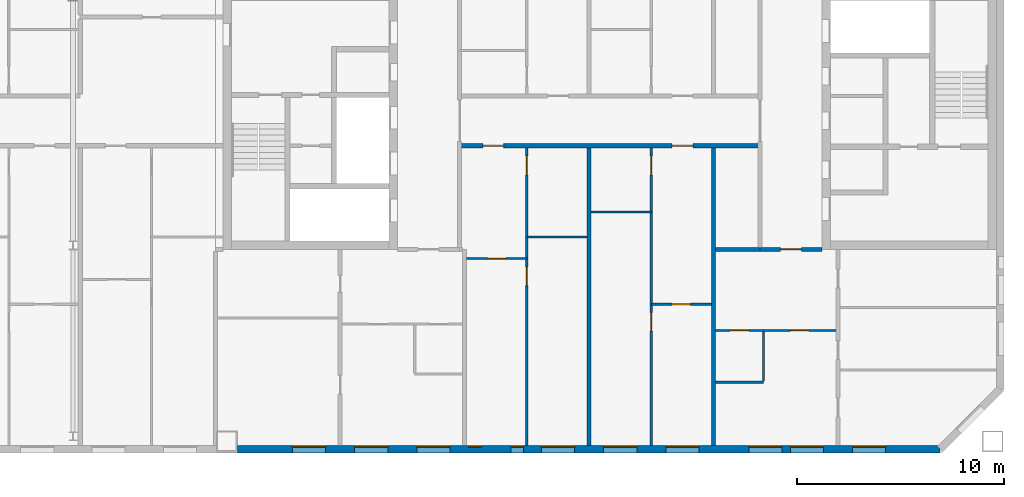
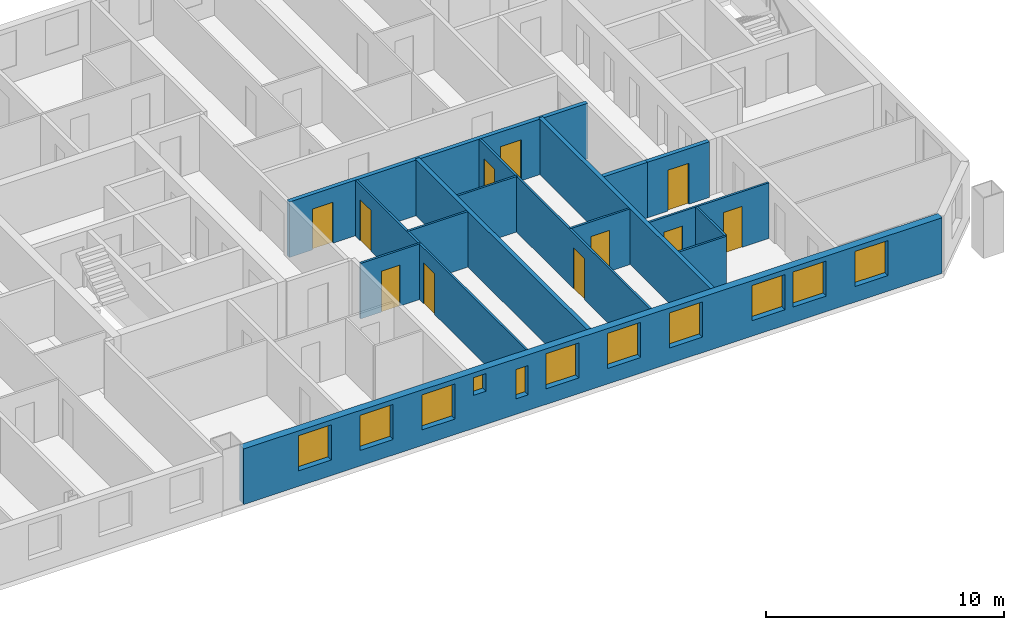
# One storey, part 14 of 19: 15 walls, 11 doors, 11 windows, 22 openings.
"""IFC4 building model written with IfcOpenShell, lengths in metres."""

from ifc_helpers import new_model, si_unit, direction, frame, frame_2d, origin, place, context, subcontext, project, spatial, rectangle, extrude, material, layer, layer_set, type_object, element, fill, save


model = new_model("IFC4")

# Units and contexts
model_context = context("Model", 3, precision=1e-05, world=origin(), true_north=direction((0.0, 1.0)))
body_context = subcontext(model_context, "Body", "Model", "MODEL_VIEW")
ifc_project = project(units=[si_unit("LENGTHUNIT", "METRE"), si_unit("AREAUNIT", "SQUARE_METRE"), si_unit("VOLUMEUNIT", "CUBIC_METRE"), si_unit("PLANEANGLEUNIT", "RADIAN"), si_unit("MASSUNIT", "GRAM", prefix="KILO")], contexts=[model_context])

# Site, building, storey
site_placement = place(None, origin())
site = spatial("IfcSite", under=ifc_project, at=site_placement, CompositionType="ELEMENT")
building_placement = place(site_placement, origin())
building = spatial("IfcBuilding", under=site, at=building_placement, Name="Tuart Gate Housing", CompositionType="ELEMENT")
storey_placement = place(building_placement, frame((0.0, 0.0, 224.5)))
storey = spatial("IfcBuildingStorey", under=building, at=storey_placement, Name="L63", CompositionType="ELEMENT", Elevation=224.5)

# Wall, openings, windows
ifc_material_1 = material(Name="Brick", Category="masonry")
ifc_layer_1 = layer(ifc_material_1, 0.360107421875)
ifc_layer_set_1 = layer_set([ifc_layer_1], Name="Brick pier and spandrel wall 360")
wall_type_1 = type_object("IfcWallType", Name="Brick pier and spandrel wall 360", PredefinedType="STANDARD", material=ifc_layer_set_1)
wall_1_placement = place(storey_placement, frame((132.050048828125, 54.179931640625, 0.0), z_axis=(0.0, 0.0, 1.0), x_axis=(1.0, 0.0, 0.0)))
wall_1 = element("IfcWall", 1, at=wall_1_placement, inside=storey, type_object=wall_type_1, Name="External wall BLK-S L63", PredefinedType="STANDARD", context=body_context, shape_type="SweptSolid", body=[
    extrude(rectangle(XDim=33.87548828125, YDim=0.360107421875, at=frame_2d((16.937744140625, 0.0))), origin(), (0.0, 0.0, 1.0), 2.85009765625),
])
opening_1_placement = place(wall_1_placement, frame((2.64990234375, 0.0, 0.800048828125)))
opening_1 = element("IfcOpeningElement", 2, at=opening_1_placement, cuts=wall_1, Name="Opening W1", PredefinedType="OPENING", context=body_context, shape_type="SweptSolid", body=[
    extrude(rectangle(XDim=1.60009765625, YDim=1.800048828125, at=frame_2d((0.800048828125, 0.89990234375))), frame((0.0, 0.18994140625, 0.0), z_axis=(0.0, -1.0, 0.0), x_axis=(1.0, 0.0, 0.0)), (0.0, 0.0, 1.0), 0.380126953125),
])
opening_2_placement = place(wall_1_placement, frame((5.64990234375, 0.0, 0.800048828125)))
opening_2 = element("IfcOpeningElement", 3, at=opening_2_placement, cuts=wall_1, Name="Opening W1", PredefinedType="OPENING", context=body_context, shape_type="SweptSolid", body=[
    extrude(rectangle(XDim=1.60009765625, YDim=1.800048828125, at=frame_2d((0.800048828125, 0.89990234375))), frame((0.0, 0.18994140625, 0.0), z_axis=(0.0, -1.0, 0.0), x_axis=(1.0, 0.0, 0.0)), (0.0, 0.0, 1.0), 0.380126953125),
])
opening_3_placement = place(wall_1_placement, frame((8.64990234375, 0.0, 0.800048828125)))
opening_3 = element("IfcOpeningElement", 4, at=opening_3_placement, cuts=wall_1, Name="Opening W1", PredefinedType="OPENING", context=body_context, shape_type="SweptSolid", body=[
    extrude(rectangle(XDim=1.60009765625, YDim=1.800048828125, at=frame_2d((0.800048828125, 0.89990234375))), frame((0.0, 0.18994140625, 0.0), z_axis=(0.0, -1.0, 0.0), x_axis=(1.0, 0.0, 0.0)), (0.0, 0.0, 1.0), 0.380126953125),
])
opening_4_placement = place(wall_1_placement, frame((11.14990234375, 0.0, 1.699951171875)))
opening_4 = element("IfcOpeningElement", 5, at=opening_4_placement, cuts=wall_1, Name="Opening W1W", PredefinedType="OPENING", context=body_context, shape_type="SweptSolid", body=[
    extrude(rectangle(XDim=0.60009765625, YDim=0.89990234375, at=frame_2d((0.300048828125, 0.449951171875))), frame((0.0, 0.18994140625, 0.0), z_axis=(0.0, -1.0, 0.0), x_axis=(1.0, 0.0, 0.0)), (0.0, 0.0, 1.0), 0.380126953125),
])
opening_5_placement = place(wall_1_placement, frame((14.64990234375, 0.0, 0.800048828125)))
opening_5 = element("IfcOpeningElement", 6, at=opening_5_placement, cuts=wall_1, Name="Opening W1", PredefinedType="OPENING", context=body_context, shape_type="SweptSolid", body=[
    extrude(rectangle(XDim=1.60009765625, YDim=1.800048828125, at=frame_2d((0.800048828125, 0.89990234375))), frame((0.0, 0.18994140625, 0.0), z_axis=(0.0, -1.0, 0.0), x_axis=(1.0, 0.0, 0.0)), (0.0, 0.0, 1.0), 0.380126953125),
])
opening_6_placement = place(wall_1_placement, frame((17.64990234375, 0.0, 0.800048828125)))
opening_6 = element("IfcOpeningElement", 7, at=opening_6_placement, cuts=wall_1, Name="Opening W1", PredefinedType="OPENING", context=body_context, shape_type="SweptSolid", body=[
    extrude(rectangle(XDim=1.60009765625, YDim=1.800048828125, at=frame_2d((0.800048828125, 0.89990234375))), frame((0.0, 0.18994140625, 0.0), z_axis=(0.0, -1.0, 0.0), x_axis=(1.0, 0.0, 0.0)), (0.0, 0.0, 1.0), 0.380126953125),
])
opening_7_placement = place(wall_1_placement, frame((20.64990234375, 0.0, 0.800048828125)))
opening_7 = element("IfcOpeningElement", 8, at=opening_7_placement, cuts=wall_1, Name="Opening W1", PredefinedType="OPENING", context=body_context, shape_type="SweptSolid", body=[
    extrude(rectangle(XDim=1.60009765625, YDim=1.800048828125, at=frame_2d((0.800048828125, 0.89990234375))), frame((0.0, 0.18994140625, 0.0), z_axis=(0.0, -1.0, 0.0), x_axis=(1.0, 0.0, 0.0)), (0.0, 0.0, 1.0), 0.380126953125),
])
opening_8_placement = place(wall_1_placement, frame((24.64990234375, 0.0, 0.800048828125)))
opening_8 = element("IfcOpeningElement", 9, at=opening_8_placement, cuts=wall_1, Name="Opening W1", PredefinedType="OPENING", context=body_context, shape_type="SweptSolid", body=[
    extrude(rectangle(XDim=1.60009765625, YDim=1.800048828125, at=frame_2d((0.800048828125, 0.89990234375))), frame((0.0, 0.18994140625, 0.0), z_axis=(0.0, -1.0, 0.0), x_axis=(1.0, 0.0, 0.0)), (0.0, 0.0, 1.0), 0.380126953125),
])
opening_9_placement = place(wall_1_placement, frame((26.64990234375, 0.0, 0.800048828125)))
opening_9 = element("IfcOpeningElement", 10, at=opening_9_placement, cuts=wall_1, Name="Opening W1", PredefinedType="OPENING", context=body_context, shape_type="SweptSolid", body=[
    extrude(rectangle(XDim=1.60009765625, YDim=1.800048828125, at=frame_2d((0.800048828125, 0.89990234375))), frame((0.0, 0.18994140625, 0.0), z_axis=(0.0, -1.0, 0.0), x_axis=(1.0, 0.0, 0.0)), (0.0, 0.0, 1.0), 0.380126953125),
])
opening_10_placement = place(wall_1_placement, frame((29.64990234375, 0.0, 0.800048828125)))
opening_10 = element("IfcOpeningElement", 11, at=opening_10_placement, cuts=wall_1, Name="Opening W1", PredefinedType="OPENING", context=body_context, shape_type="SweptSolid", body=[
    extrude(rectangle(XDim=1.60009765625, YDim=1.800048828125, at=frame_2d((0.800048828125, 0.89990234375))), frame((0.0, 0.18994140625, 0.0), z_axis=(0.0, -1.0, 0.0), x_axis=(1.0, 0.0, 0.0)), (0.0, 0.0, 1.0), 0.380126953125),
])
opening_11_placement = place(wall_1_placement, frame((13.199951171875, 0.0, 0.800048828125)))
opening_11 = element("IfcOpeningElement", 12, at=opening_11_placement, cuts=wall_1, Name="Opening W1K", PredefinedType="OPENING", context=body_context, shape_type="SweptSolid", body=[
    extrude(rectangle(XDim=0.60009765625, YDim=1.5, at=frame_2d((0.300048828125, 0.75))), frame((0.0, 0.18994140625, 0.0), z_axis=(0.0, -1.0, 0.0), x_axis=(1.0, 0.0, 0.0)), (0.0, 0.0, 1.0), 0.380126953125),
])
ifc_material_2 = material(Name="Aluminium frame with clear glass", Category="aluminium")
window_type_1 = type_object("IfcWindowType", Name="Punched window 1600 x 1800", PartitioningType="SINGLE_PANEL", PredefinedType="WINDOW", material=ifc_material_2)
window_1_placement = place(opening_1_placement, origin())
window_1 = element("IfcWindow", 13, at=window_1_placement, inside=storey, type_object=window_type_1, Name="Window W1", OverallHeight=1.800048828125, OverallWidth=1.60009765625, PartitioningType="SINGLE_PANEL", PredefinedType="WINDOW", context=body_context, shape_type="SweptSolid", body=[
    extrude(rectangle(XDim=1.60009765625, YDim=1.800048828125, at=frame_2d((0.800048828125, 0.89990234375))), frame((0.0, 0.150146484375, 0.0), z_axis=(0.0, -1.0, 0.0), x_axis=(1.0, 0.0, 0.0)), (0.0, 0.0, 1.0), 0.06005859375),
])
fill(opening_1, window_1)
window_2_placement = place(opening_2_placement, origin())
window_2 = element("IfcWindow", 14, at=window_2_placement, inside=storey, type_object=window_type_1, Name="Window W1", OverallHeight=1.800048828125, OverallWidth=1.60009765625, PartitioningType="SINGLE_PANEL", PredefinedType="WINDOW", context=body_context, shape_type="SweptSolid", body=[
    extrude(rectangle(XDim=1.60009765625, YDim=1.800048828125, at=frame_2d((0.800048828125, 0.89990234375))), frame((0.0, 0.150146484375, 0.0), z_axis=(0.0, -1.0, 0.0), x_axis=(1.0, 0.0, 0.0)), (0.0, 0.0, 1.0), 0.06005859375),
])
fill(opening_2, window_2)
window_3_placement = place(opening_3_placement, origin())
window_3 = element("IfcWindow", 15, at=window_3_placement, inside=storey, type_object=window_type_1, Name="Window W1", OverallHeight=1.800048828125, OverallWidth=1.60009765625, PartitioningType="SINGLE_PANEL", PredefinedType="WINDOW", context=body_context, shape_type="SweptSolid", body=[
    extrude(rectangle(XDim=1.60009765625, YDim=1.800048828125, at=frame_2d((0.800048828125, 0.89990234375))), frame((0.0, 0.150146484375, 0.0), z_axis=(0.0, -1.0, 0.0), x_axis=(1.0, 0.0, 0.0)), (0.0, 0.0, 1.0), 0.06005859375),
])
fill(opening_3, window_3)
window_4_placement = place(opening_5_placement, origin())
window_4 = element("IfcWindow", 16, at=window_4_placement, inside=storey, type_object=window_type_1, Name="Window W1", OverallHeight=1.800048828125, OverallWidth=1.60009765625, PartitioningType="SINGLE_PANEL", PredefinedType="WINDOW", context=body_context, shape_type="SweptSolid", body=[
    extrude(rectangle(XDim=1.60009765625, YDim=1.800048828125, at=frame_2d((0.800048828125, 0.89990234375))), frame((0.0, 0.150146484375, 0.0), z_axis=(0.0, -1.0, 0.0), x_axis=(1.0, 0.0, 0.0)), (0.0, 0.0, 1.0), 0.06005859375),
])
fill(opening_5, window_4)
window_5_placement = place(opening_6_placement, origin())
window_5 = element("IfcWindow", 17, at=window_5_placement, inside=storey, type_object=window_type_1, Name="Window W1", OverallHeight=1.800048828125, OverallWidth=1.60009765625, PartitioningType="SINGLE_PANEL", PredefinedType="WINDOW", context=body_context, shape_type="SweptSolid", body=[
    extrude(rectangle(XDim=1.60009765625, YDim=1.800048828125, at=frame_2d((0.800048828125, 0.89990234375))), frame((0.0, 0.150146484375, 0.0), z_axis=(0.0, -1.0, 0.0), x_axis=(1.0, 0.0, 0.0)), (0.0, 0.0, 1.0), 0.06005859375),
])
fill(opening_6, window_5)
window_6_placement = place(opening_7_placement, origin())
window_6 = element("IfcWindow", 18, at=window_6_placement, inside=storey, type_object=window_type_1, Name="Window W1", OverallHeight=1.800048828125, OverallWidth=1.60009765625, PartitioningType="SINGLE_PANEL", PredefinedType="WINDOW", context=body_context, shape_type="SweptSolid", body=[
    extrude(rectangle(XDim=1.60009765625, YDim=1.800048828125, at=frame_2d((0.800048828125, 0.89990234375))), frame((0.0, 0.150146484375, 0.0), z_axis=(0.0, -1.0, 0.0), x_axis=(1.0, 0.0, 0.0)), (0.0, 0.0, 1.0), 0.06005859375),
])
fill(opening_7, window_6)
window_7_placement = place(opening_8_placement, origin())
window_7 = element("IfcWindow", 19, at=window_7_placement, inside=storey, type_object=window_type_1, Name="Window W1", OverallHeight=1.800048828125, OverallWidth=1.60009765625, PartitioningType="SINGLE_PANEL", PredefinedType="WINDOW", context=body_context, shape_type="SweptSolid", body=[
    extrude(rectangle(XDim=1.60009765625, YDim=1.800048828125, at=frame_2d((0.800048828125, 0.89990234375))), frame((0.0, 0.150146484375, 0.0), z_axis=(0.0, -1.0, 0.0), x_axis=(1.0, 0.0, 0.0)), (0.0, 0.0, 1.0), 0.06005859375),
])
fill(opening_8, window_7)
window_8_placement = place(opening_9_placement, origin())
window_8 = element("IfcWindow", 20, at=window_8_placement, inside=storey, type_object=window_type_1, Name="Window W1", OverallHeight=1.800048828125, OverallWidth=1.60009765625, PartitioningType="SINGLE_PANEL", PredefinedType="WINDOW", context=body_context, shape_type="SweptSolid", body=[
    extrude(rectangle(XDim=1.60009765625, YDim=1.800048828125, at=frame_2d((0.800048828125, 0.89990234375))), frame((0.0, 0.150146484375, 0.0), z_axis=(0.0, -1.0, 0.0), x_axis=(1.0, 0.0, 0.0)), (0.0, 0.0, 1.0), 0.06005859375),
])
fill(opening_9, window_8)
window_9_placement = place(opening_10_placement, origin())
window_9 = element("IfcWindow", 21, at=window_9_placement, inside=storey, type_object=window_type_1, Name="Window W1", OverallHeight=1.800048828125, OverallWidth=1.60009765625, PartitioningType="SINGLE_PANEL", PredefinedType="WINDOW", context=body_context, shape_type="SweptSolid", body=[
    extrude(rectangle(XDim=1.60009765625, YDim=1.800048828125, at=frame_2d((0.800048828125, 0.89990234375))), frame((0.0, 0.150146484375, 0.0), z_axis=(0.0, -1.0, 0.0), x_axis=(1.0, 0.0, 0.0)), (0.0, 0.0, 1.0), 0.06005859375),
])
fill(opening_10, window_9)
ifc_material_3 = material(Name="Aluminium frame with clear glass", Category="aluminium")
window_type_2 = type_object("IfcWindowType", Name="Punched window 600 x 1500", PartitioningType="SINGLE_PANEL", PredefinedType="WINDOW", material=ifc_material_3)
window_10_placement = place(opening_11_placement, origin())
window_10 = element("IfcWindow", 22, at=window_10_placement, inside=storey, type_object=window_type_2, Name="Window W1K", OverallHeight=1.5, OverallWidth=0.60009765625, PartitioningType="SINGLE_PANEL", PredefinedType="WINDOW", context=body_context, shape_type="SweptSolid", body=[
    extrude(rectangle(XDim=0.60009765625, YDim=1.5, at=frame_2d((0.300048828125, 0.75))), frame((0.0, 0.150146484375, 0.0), z_axis=(0.0, -1.0, 0.0), x_axis=(1.0, 0.0, 0.0)), (0.0, 0.0, 1.0), 0.06005859375),
])
fill(opening_11, window_10)
ifc_material_4 = material(Name="Aluminium frame with clear glass", Category="aluminium")
window_type_3 = type_object("IfcWindowType", Name="Punched window 600 x 900", PartitioningType="SINGLE_PANEL", PredefinedType="WINDOW", material=ifc_material_4)
window_11_placement = place(opening_4_placement, origin())
window_11 = element("IfcWindow", 23, at=window_11_placement, inside=storey, type_object=window_type_3, Name="Window W1W", OverallHeight=0.89990234375, OverallWidth=0.60009765625, PartitioningType="SINGLE_PANEL", PredefinedType="WINDOW", context=body_context, shape_type="SweptSolid", body=[
    extrude(rectangle(XDim=0.60009765625, YDim=0.89990234375, at=frame_2d((0.300048828125, 0.449951171875))), frame((0.0, 0.150146484375, 0.0), z_axis=(0.0, -1.0, 0.0), x_axis=(1.0, 0.0, 0.0)), (0.0, 0.0, 1.0), 0.06005859375),
])
fill(opening_4, window_11)

# Wall, openings, doors
ifc_material_5 = material(Name="Concrete masonry 15 MPa", Category="masonry")
ifc_layer_2 = layer(ifc_material_5, 0.199951171875)
ifc_layer_set_2 = layer_set([ifc_layer_2], Name="Corridor wall masonry 200")
wall_type_2 = type_object("IfcWallType", Name="Corridor wall masonry 200", PredefinedType="PARTITIONING", material=ifc_layer_set_2)
wall_2_placement = place(storey_placement, frame((142.760009765625, 68.800048828125, 0.0), z_axis=(0.0, 0.0, 1.0), x_axis=(1.0, 0.0, 0.0)))
wall_2 = element("IfcWall", 24, at=wall_2_placement, inside=storey, type_object=wall_type_2, Name="Corridor wall masonry 200", PredefinedType="PARTITIONING", context=body_context, shape_type="SweptSolid", body=[
    extrude(rectangle(XDim=14.47998046875, YDim=0.199951171875, at=frame_2d((7.239990234375, 0.0))), origin(), (0.0, 0.0, 1.0), 2.85009765625),
])
opening_12_placement = place(wall_2_placement, frame((1.1201171875, 0.0, 0.0)))
opening_12 = element("IfcOpeningElement", 25, at=opening_12_placement, cuts=wall_2, Name="Opening D2422", PredefinedType="OPENING", context=body_context, shape_type="SweptSolid", body=[
    extrude(rectangle(XDim=1.0, YDim=2.10009765625, at=frame_2d((0.5, 1.050048828125))), frame((0.0, 0.10986328125, 0.0), z_axis=(0.0, -1.0, 0.0), x_axis=(1.0, 0.0, 0.0)), (0.0, 0.0, 1.0), 0.219970703125),
])
opening_13_placement = place(wall_2_placement, frame((10.239990234375, 0.0, 0.0)))
opening_13 = element("IfcOpeningElement", 26, at=opening_13_placement, cuts=wall_2, Name="Opening D2423", PredefinedType="OPENING", context=body_context, shape_type="SweptSolid", body=[
    extrude(rectangle(XDim=1.0, YDim=2.10009765625, at=frame_2d((0.5, 1.050048828125))), frame((0.0, 0.10986328125, 0.0), z_axis=(0.0, -1.0, 0.0), x_axis=(1.0, 0.0, 0.0)), (0.0, 0.0, 1.0), 0.219970703125),
])
ifc_material_6 = material(Name="Timber door leaf in steel frame", Category="steel")
door_type_1 = type_object("IfcDoorType", Name="Flat entrance door 1000 RH", OperationType="SINGLE_SWING_RIGHT", PredefinedType="DOOR", material=ifc_material_6)
door_1_placement = place(opening_12_placement, frame((1.0, 0.0, 0.0), z_axis=(0.0, 0.0, 1.0), x_axis=(-1.0, 0.0, 0.0)))
door_1 = element("IfcDoor", 27, at=door_1_placement, inside=storey, type_object=door_type_1, Name="Flat entrance door", OperationType="SINGLE_SWING_RIGHT", OverallHeight=2.10009765625, OverallWidth=1.0, PredefinedType="DOOR", context=body_context, shape_type="SweptSolid", body=[
    extrude(rectangle(XDim=1.0, YDim=2.10009765625, at=frame_2d((0.5, 1.050048828125))), frame((0.0, 0.025146484375, 0.0), z_axis=(0.0, -1.0, 0.0), x_axis=(1.0, 0.0, 0.0)), (0.0, 0.0, 1.0), 0.050048828125),
])
fill(opening_12, door_1)
door_2_placement = place(opening_13_placement, frame((1.0, 0.0, 0.0), z_axis=(0.0, 0.0, 1.0), x_axis=(-1.0, 0.0, 0.0)))
door_2 = element("IfcDoor", 28, at=door_2_placement, inside=storey, type_object=door_type_1, Name="Flat entrance door", OperationType="SINGLE_SWING_RIGHT", OverallHeight=2.10009765625, OverallWidth=1.0, PredefinedType="DOOR", context=body_context, shape_type="SweptSolid", body=[
    extrude(rectangle(XDim=1.0, YDim=2.10009765625, at=frame_2d((0.5, 1.050048828125))), frame((0.0, 0.025146484375, 0.0), z_axis=(0.0, -1.0, 0.0), x_axis=(1.0, 0.0, 0.0)), (0.0, 0.0, 1.0), 0.050048828125),
])
fill(opening_13, door_2)

# Wall, opening, door
ifc_material_7 = material(Name="Concrete masonry 15 MPa", Category="masonry")
ifc_layer_3 = layer(ifc_material_7, 0.199951171875)
ifc_layer_set_3 = layer_set([ifc_layer_3], Name="Enclosure wall masonry 200")
wall_type_3 = type_object("IfcWallType", Name="Enclosure wall masonry 200", PredefinedType="PARTITIONING", material=ifc_layer_set_3)
wall_3_placement = place(storey_placement, frame((157.239990234375, 63.800048828125, 0.0), z_axis=(0.0, 0.0, 1.0), x_axis=(1.0, 0.0, 0.0)))
wall_3 = element("IfcWall", 29, at=wall_3_placement, inside=storey, type_object=wall_type_3, Name="Enclosure wall masonry 200", PredefinedType="PARTITIONING", context=body_context, shape_type="SweptSolid", body=[
    extrude(rectangle(XDim=3.0, YDim=0.199951171875, at=frame_2d((1.5, 0.0))), origin(), (0.0, 0.0, 1.0), 2.85009765625),
])
opening_14_placement = place(wall_3_placement, frame((1.0, 0.0, 0.0)))
opening_14 = element("IfcOpeningElement", 30, at=opening_14_placement, cuts=wall_3, Name="Opening D2427", PredefinedType="OPENING", context=body_context, shape_type="SweptSolid", body=[
    extrude(rectangle(XDim=1.0, YDim=2.10009765625, at=frame_2d((0.5, 1.050048828125))), frame((0.0, 0.10986328125, 0.0), z_axis=(0.0, -1.0, 0.0), x_axis=(1.0, 0.0, 0.0)), (0.0, 0.0, 1.0), 0.219970703125),
])
ifc_material_8 = material(Name="Timber door leaf in steel frame", Category="steel")
door_type_2 = type_object("IfcDoorType", Name="Flat entrance door 1000", OperationType="SINGLE_SWING_LEFT", PredefinedType="DOOR", material=ifc_material_8)
door_3_placement = place(opening_14_placement, frame((1.0, 0.0, 0.0), z_axis=(0.0, 0.0, 1.0), x_axis=(-1.0, 0.0, 0.0)))
door_3 = element("IfcDoor", 31, at=door_3_placement, inside=storey, type_object=door_type_2, Name="Flat entrance door", OperationType="SINGLE_SWING_LEFT", OverallHeight=2.10009765625, OverallWidth=1.0, PredefinedType="DOOR", context=body_context, shape_type="SweptSolid", body=[
    extrude(rectangle(XDim=1.0, YDim=2.10009765625, at=frame_2d((0.5, 1.050048828125))), frame((0.0, 0.025146484375, 0.0), z_axis=(0.0, -1.0, 0.0), x_axis=(1.0, 0.0, 0.0)), (0.0, 0.0, 1.0), 0.050048828125),
])
fill(opening_14, door_3)

# Wall
ifc_material_9 = material(Name="Gypsum board on steel studs", Category="steel")
ifc_layer_4 = layer(ifc_material_9, 0.10009765625)
ifc_layer_set_4 = layer_set([ifc_layer_4], Name="Partition 100")
wall_type_4 = type_object("IfcWallType", Name="Partition 100", PredefinedType="PARTITIONING", material=ifc_layer_set_4)
wall_4_placement = place(storey_placement, frame((155.10009765625, 57.39990234375, 0.0), z_axis=(0.0, 0.0, 1.0), x_axis=(1.0, 0.0, 0.0)))
element("IfcWall", 32, at=wall_4_placement, inside=storey, type_object=wall_type_4, Name="Partition 100", PredefinedType="PARTITIONING", context=body_context, shape_type="SweptSolid", body=[
    extrude(rectangle(XDim=2.2998046875, YDim=0.10009765625, at=frame_2d((1.14990234375, 0.0))), origin(), (0.0, 0.0, 1.0), 2.85009765625),
])

# Wall, openings, doors
wall_5_placement = place(storey_placement, frame((155.10009765625, 59.89990234375, 0.0), z_axis=(0.0, 0.0, 1.0), x_axis=(1.0, 0.0, 0.0)))
wall_5 = element("IfcWall", 33, at=wall_5_placement, inside=storey, type_object=wall_type_4, Name="Partition 100", PredefinedType="PARTITIONING", context=body_context, shape_type="SweptSolid", body=[
    extrude(rectangle(XDim=5.7998046875, YDim=0.10009765625, at=frame_2d((2.89990234375, 0.0))), origin(), (0.0, 0.0, 1.0), 2.85009765625),
])
opening_15_placement = place(wall_5_placement, frame((3.60009765625, 0.0, 0.0)))
opening_15 = element("IfcOpeningElement", 34, at=opening_15_placement, cuts=wall_5, Name="Opening D2437", PredefinedType="OPENING", context=body_context, shape_type="SweptSolid", body=[
    extrude(rectangle(XDim=0.89990234375, YDim=2.10009765625, at=frame_2d((0.449951171875, 1.050048828125))), frame((0.0, 0.06005859375, 0.0), z_axis=(0.0, -1.0, 0.0), x_axis=(1.0, 0.0, 0.0)), (0.0, 0.0, 1.0), 0.1201171875),
])
opening_16_placement = place(wall_5_placement, frame((0.699951171875, 0.0, 0.0)))
opening_16 = element("IfcOpeningElement", 35, at=opening_16_placement, cuts=wall_5, Name="Opening D2436", PredefinedType="OPENING", context=body_context, shape_type="SweptSolid", body=[
    extrude(rectangle(XDim=0.89990234375, YDim=2.10009765625, at=frame_2d((0.449951171875, 1.050048828125))), frame((0.0, 0.06005859375, 0.0), z_axis=(0.0, -1.0, 0.0), x_axis=(1.0, 0.0, 0.0)), (0.0, 0.0, 1.0), 0.1201171875),
])
ifc_material_10 = material(Name="Timber door leaf in steel frame", Category="steel")
door_type_3 = type_object("IfcDoorType", Name="Bathroom door 900", OperationType="SINGLE_SWING_LEFT", PredefinedType="DOOR", material=ifc_material_10)
door_4_placement = place(opening_16_placement, frame((0.89990234375, 0.0, 0.0), z_axis=(0.0, 0.0, 1.0), x_axis=(-1.0, 0.0, 0.0)))
door_4 = element("IfcDoor", 36, at=door_4_placement, inside=storey, type_object=door_type_3, Name="Bathroom door", OperationType="SINGLE_SWING_LEFT", OverallHeight=2.10009765625, OverallWidth=0.89990234375, PredefinedType="DOOR", context=body_context, shape_type="SweptSolid", body=[
    extrude(rectangle(XDim=0.89990234375, YDim=2.10009765625, at=frame_2d((0.449951171875, 1.050048828125))), frame((0.0, 0.025146484375, 0.0), z_axis=(0.0, -1.0, 0.0), x_axis=(1.0, 0.0, 0.0)), (0.0, 0.0, 1.0), 0.050048828125),
])
fill(opening_16, door_4)
ifc_material_11 = material(Name="Timber door leaf in steel frame", Category="steel")
door_type_4 = type_object("IfcDoorType", Name="Internal door 900 RH", OperationType="SINGLE_SWING_RIGHT", PredefinedType="DOOR", material=ifc_material_11)
door_5_placement = place(opening_15_placement, origin())
door_5 = element("IfcDoor", 37, at=door_5_placement, inside=storey, type_object=door_type_4, Name="Internal door", OperationType="SINGLE_SWING_RIGHT", OverallHeight=2.10009765625, OverallWidth=0.89990234375, PredefinedType="DOOR", context=body_context, shape_type="SweptSolid", body=[
    extrude(rectangle(XDim=0.89990234375, YDim=2.10009765625, at=frame_2d((0.449951171875, 1.050048828125))), frame((0.0, 0.02490234375, 0.0), z_axis=(0.0, -1.0, 0.0), x_axis=(1.0, 0.0, 0.0)), (0.0, 0.0, 1.0), 0.050048828125),
])
fill(opening_15, door_5)

# Wall, opening, door
wall_6_placement = place(storey_placement, frame((152.0, 61.159912109375, 0.0), z_axis=(0.0, 0.0, 1.0), x_axis=(1.0, 0.0, 0.0)))
wall_6 = element("IfcWall", 38, at=wall_6_placement, inside=storey, type_object=wall_type_4, Name="Partition 100", PredefinedType="PARTITIONING", context=body_context, shape_type="SweptSolid", body=[
    extrude(rectangle(XDim=2.89990234375, YDim=0.10009765625, at=frame_2d((1.449951171875, 0.0))), origin(), (0.0, 0.0, 1.0), 2.85009765625),
])
opening_17_placement = place(wall_6_placement, frame((1.0, 0.0, 0.0)))
opening_17 = element("IfcOpeningElement", 39, at=opening_17_placement, cuts=wall_6, Name="Opening D2433", PredefinedType="OPENING", context=body_context, shape_type="SweptSolid", body=[
    extrude(rectangle(XDim=0.89990234375, YDim=2.10009765625, at=frame_2d((0.449951171875, 1.050048828125))), frame((0.0, 0.06005859375, 0.0), z_axis=(0.0, -1.0, 0.0), x_axis=(1.0, 0.0, 0.0)), (0.0, 0.0, 1.0), 0.1201171875),
])
ifc_material_12 = material(Name="Timber door leaf in steel frame", Category="steel")
door_type_5 = type_object("IfcDoorType", Name="Internal door 900", OperationType="SINGLE_SWING_LEFT", PredefinedType="DOOR", material=ifc_material_12)
door_6_placement = place(opening_17_placement, origin())
door_6 = element("IfcDoor", 40, at=door_6_placement, inside=storey, type_object=door_type_5, Name="Internal door", OperationType="SINGLE_SWING_LEFT", OverallHeight=2.10009765625, OverallWidth=0.89990234375, PredefinedType="DOOR", context=body_context, shape_type="SweptSolid", body=[
    extrude(rectangle(XDim=0.89990234375, YDim=2.10009765625, at=frame_2d((0.449951171875, 1.050048828125))), frame((0.0, 0.02490234375, 0.0), z_axis=(0.0, -1.0, 0.0), x_axis=(1.0, 0.0, 0.0)), (0.0, 0.0, 1.0), 0.050048828125),
])
fill(opening_17, door_6)

wall_7_placement = place(storey_placement, frame((143.10009765625, 63.360107421875, 0.0), z_axis=(0.0, 0.0, 1.0), x_axis=(1.0, 0.0, 0.0)))
wall_7 = element("IfcWall", 41, at=wall_7_placement, inside=storey, type_object=wall_type_4, Name="Partition 100", PredefinedType="PARTITIONING", context=body_context, shape_type="SweptSolid", body=[
    extrude(rectangle(XDim=2.89990234375, YDim=0.10009765625, at=frame_2d((1.449951171875, 0.0))), origin(), (0.0, 0.0, 1.0), 2.85009765625),
])
opening_18_placement = place(wall_7_placement, frame((1.0, 0.0, 0.0)))
opening_18 = element("IfcOpeningElement", 42, at=opening_18_placement, cuts=wall_7, Name="Opening D2428", PredefinedType="OPENING", context=body_context, shape_type="SweptSolid", body=[
    extrude(rectangle(XDim=0.89990234375, YDim=2.10009765625, at=frame_2d((0.449951171875, 1.050048828125))), frame((0.0, 0.06005859375, 0.0), z_axis=(0.0, -1.0, 0.0), x_axis=(1.0, 0.0, 0.0)), (0.0, 0.0, 1.0), 0.1201171875),
])
door_7_placement = place(opening_18_placement, origin())
door_7 = element("IfcDoor", 43, at=door_7_placement, inside=storey, type_object=door_type_4, Name="Internal door", OperationType="SINGLE_SWING_RIGHT", OverallHeight=2.10009765625, OverallWidth=0.89990234375, PredefinedType="DOOR", context=body_context, shape_type="SweptSolid", body=[
    extrude(rectangle(XDim=0.89990234375, YDim=2.10009765625, at=frame_2d((0.449951171875, 1.050048828125))), frame((0.0, 0.02490234375, 0.0), z_axis=(0.0, -1.0, 0.0), x_axis=(1.0, 0.0, 0.0)), (0.0, 0.0, 1.0), 0.050048828125),
])
fill(opening_18, door_7)

# Walls
for number, where, z_axis, x_axis, name in (
    (44, (146.0, 64.39990234375, 0.0), (0.0, 0.0, 1.0), (1.0, 0.0, 0.0), "Partition 100"),
    (45, (149.10009765625, 65.60009765625, 0.0), (0.0, 0.0, 1.0), (1.0, 0.0, 0.0), "Partition 100"),
):
    element("IfcWall", number, at=place(storey_placement, frame(where, z_axis=z_axis, x_axis=x_axis)), inside=storey, type_object=wall_type_4, Name=name, PredefinedType="PARTITIONING", context=body_context, shape_type="SweptSolid", body=[
        extrude(rectangle(XDim=2.89990234375, YDim=0.10009765625, at=frame_2d((1.449951171875, 0.0))), origin(), (0.0, 0.0, 1.0), 2.85009765625),
    ])

# Wall, openings, doors
wall_8_placement = place(storey_placement, frame((146.0, 54.360107421875, 0.0), z_axis=(0.0, 0.0, 1.0), x_axis=(0.0, 1.0, 0.0)))
wall_8 = element("IfcWall", 46, at=wall_8_placement, inside=storey, type_object=wall_type_4, Name="Partition 100", PredefinedType="PARTITIONING", context=body_context, shape_type="SweptSolid", body=[
    extrude(rectangle(XDim=14.33984375, YDim=0.10009765625, at=frame_2d((7.169921875, 0.0))), origin(), (0.0, 0.0, 1.0), 2.85009765625),
])
opening_19_placement = place(wall_8_placement, frame((7.699951171875, 0.0, 0.0)))
opening_19 = element("IfcOpeningElement", 47, at=opening_19_placement, cuts=wall_8, Name="Opening D2430", PredefinedType="OPENING", context=body_context, shape_type="SweptSolid", body=[
    extrude(rectangle(XDim=0.89990234375, YDim=2.10009765625, at=frame_2d((0.449951171875, 1.050048828125))), frame((0.0, 0.06005859375, 0.0), z_axis=(0.0, -1.0, 0.0), x_axis=(1.0, 0.0, 0.0)), (0.0, 0.0, 1.0), 0.1201171875),
])
opening_20_placement = place(wall_8_placement, frame((13.0400390625, 0.0, 0.0)))
opening_20 = element("IfcOpeningElement", 48, at=opening_20_placement, cuts=wall_8, Name="Opening D2429", PredefinedType="OPENING", context=body_context, shape_type="SweptSolid", body=[
    extrude(rectangle(XDim=0.89990234375, YDim=2.10009765625, at=frame_2d((0.449951171875, 1.050048828125))), frame((0.0, 0.06005859375, 0.0), z_axis=(0.0, -1.0, 0.0), x_axis=(1.0, 0.0, 0.0)), (0.0, 0.0, 1.0), 0.1201171875),
])
door_8_placement = place(opening_20_placement, frame((0.89990234375, 0.0, 0.0), z_axis=(0.0, 0.0, 1.0), x_axis=(-1.0, 0.0, 0.0)))
door_8 = element("IfcDoor", 49, at=door_8_placement, inside=storey, type_object=door_type_3, Name="Bathroom door", OperationType="SINGLE_SWING_LEFT", OverallHeight=2.10009765625, OverallWidth=0.89990234375, PredefinedType="DOOR", context=body_context, shape_type="SweptSolid", body=[
    extrude(rectangle(XDim=0.89990234375, YDim=2.10009765625, at=frame_2d((0.449951171875, 1.050048828125))), frame((0.0, 0.025146484375, 0.0), z_axis=(0.0, -1.0, 0.0), x_axis=(1.0, 0.0, 0.0)), (0.0, 0.0, 1.0), 0.050048828125),
])
fill(opening_20, door_8)
door_9_placement = place(opening_19_placement, frame((0.89990234375, 0.0, 0.0), z_axis=(0.0, 0.0, 1.0), x_axis=(-1.0, 0.0, 0.0)))
door_9 = element("IfcDoor", 50, at=door_9_placement, inside=storey, type_object=door_type_5, Name="Internal door", OperationType="SINGLE_SWING_LEFT", OverallHeight=2.10009765625, OverallWidth=0.89990234375, PredefinedType="DOOR", context=body_context, shape_type="SweptSolid", body=[
    extrude(rectangle(XDim=0.89990234375, YDim=2.10009765625, at=frame_2d((0.449951171875, 1.050048828125))), frame((0.0, 0.025146484375, 0.0), z_axis=(0.0, -1.0, 0.0), x_axis=(1.0, 0.0, 0.0)), (0.0, 0.0, 1.0), 0.050048828125),
])
fill(opening_19, door_9)

wall_9_placement = place(storey_placement, frame((152.0, 54.360107421875, 0.0), z_axis=(0.0, 0.0, 1.0), x_axis=(0.0, 1.0, 0.0)))
wall_9 = element("IfcWall", 51, at=wall_9_placement, inside=storey, type_object=wall_type_4, Name="Partition 100", PredefinedType="PARTITIONING", context=body_context, shape_type="SweptSolid", body=[
    extrude(rectangle(XDim=14.33984375, YDim=0.10009765625, at=frame_2d((7.169921875, 0.0))), origin(), (0.0, 0.0, 1.0), 2.85009765625),
])
opening_21_placement = place(wall_9_placement, frame((5.5, 0.0, 0.0)))
opening_21 = element("IfcOpeningElement", 52, at=opening_21_placement, cuts=wall_9, Name="Opening D2432", PredefinedType="OPENING", context=body_context, shape_type="SweptSolid", body=[
    extrude(rectangle(XDim=0.89990234375, YDim=2.10009765625, at=frame_2d((0.449951171875, 1.050048828125))), frame((0.0, 0.06005859375, 0.0), z_axis=(0.0, -1.0, 0.0), x_axis=(1.0, 0.0, 0.0)), (0.0, 0.0, 1.0), 0.1201171875),
])
opening_22_placement = place(wall_9_placement, frame((13.0400390625, 0.0, 0.0)))
opening_22 = element("IfcOpeningElement", 53, at=opening_22_placement, cuts=wall_9, Name="Opening D2431", PredefinedType="OPENING", context=body_context, shape_type="SweptSolid", body=[
    extrude(rectangle(XDim=0.89990234375, YDim=2.10009765625, at=frame_2d((0.449951171875, 1.050048828125))), frame((0.0, 0.06005859375, 0.0), z_axis=(0.0, -1.0, 0.0), x_axis=(1.0, 0.0, 0.0)), (0.0, 0.0, 1.0), 0.1201171875),
])
ifc_material_13 = material(Name="Timber door leaf in steel frame", Category="steel")
door_type_6 = type_object("IfcDoorType", Name="Bathroom door 900 RH", OperationType="SINGLE_SWING_RIGHT", PredefinedType="DOOR", material=ifc_material_13)
door_10_placement = place(opening_22_placement, origin())
door_10 = element("IfcDoor", 54, at=door_10_placement, inside=storey, type_object=door_type_6, Name="Bathroom door", OperationType="SINGLE_SWING_RIGHT", OverallHeight=2.10009765625, OverallWidth=0.89990234375, PredefinedType="DOOR", context=body_context, shape_type="SweptSolid", body=[
    extrude(rectangle(XDim=0.89990234375, YDim=2.10009765625, at=frame_2d((0.449951171875, 1.050048828125))), frame((0.0, 0.02490234375, 0.0), z_axis=(0.0, -1.0, 0.0), x_axis=(1.0, 0.0, 0.0)), (0.0, 0.0, 1.0), 0.050048828125),
])
fill(opening_22, door_10)
door_11_placement = place(opening_21_placement, origin())
door_11 = element("IfcDoor", 55, at=door_11_placement, inside=storey, type_object=door_type_4, Name="Internal door", OperationType="SINGLE_SWING_RIGHT", OverallHeight=2.10009765625, OverallWidth=0.89990234375, PredefinedType="DOOR", context=body_context, shape_type="SweptSolid", body=[
    extrude(rectangle(XDim=0.89990234375, YDim=2.10009765625, at=frame_2d((0.449951171875, 1.050048828125))), frame((0.0, 0.02490234375, 0.0), z_axis=(0.0, -1.0, 0.0), x_axis=(1.0, 0.0, 0.0)), (0.0, 0.0, 1.0), 0.050048828125),
])
fill(opening_21, door_11)

# Walls
wall_10_placement = place(storey_placement, frame((157.39990234375, 57.449951171875, 0.0), z_axis=(0.0, 0.0, 1.0), x_axis=(0.0, 1.0, 0.0)))
element("IfcWall", 56, at=wall_10_placement, inside=storey, type_object=wall_type_4, Name="Partition 100", PredefinedType="PARTITIONING", context=body_context, shape_type="SweptSolid", body=[
    extrude(rectangle(XDim=2.400146484375, YDim=0.10009765625, at=frame_2d((1.2001953125, 0.0))), origin(), (0.0, 0.0, 1.0), 2.85009765625),
])
ifc_material_14 = material(Name="Concrete C40", Category="concrete")
ifc_layer_5 = layer(ifc_material_14, 0.199951171875)
ifc_layer_set_5 = layer_set([ifc_layer_5], Name="Party wall concrete C40 200")
wall_type_5 = type_object("IfcWallType", Name="Party wall concrete C40 200", PredefinedType="SOLIDWALL", material=ifc_layer_set_5)
for number, where, z_axis, x_axis, name in (
    (57, (149.0, 54.360107421875, 0.0), (0.0, 0.0, 1.0), (0.0, 1.0, 0.0), "Party wall concrete C40 200"),
    (58, (155.0, 54.360107421875, 0.0), (0.0, 0.0, 1.0), (0.0, 1.0, 0.0), "Party wall concrete C40 200"),
):
    element("IfcWall", number, at=place(storey_placement, frame(where, z_axis=z_axis, x_axis=x_axis)), inside=storey, type_object=wall_type_5, Name=name, PredefinedType="SOLIDWALL", context=body_context, shape_type="SweptSolid", body=[
        extrude(rectangle(XDim=14.43994140625, YDim=0.199951171875, at=frame_2d((7.219970703125, 0.0))), origin(), (0.0, 0.0, 1.0), 2.85009765625),
    ])
ifc_material_15 = material(Name="Concrete masonry 15 MPa", Category="masonry")
ifc_layer_6 = layer(ifc_material_15, 0.199951171875)
ifc_layer_set_6 = layer_set([ifc_layer_6], Name="Party wall masonry 200")
wall_type_6 = type_object("IfcWallType", Name="Party wall masonry 200", PredefinedType="PARTITIONING", material=ifc_layer_set_6)
wall_11_placement = place(storey_placement, frame((155.10009765625, 63.800048828125, 0.0), z_axis=(0.0, 0.0, 1.0), x_axis=(1.0, 0.0, 0.0)))
element("IfcWall", 59, at=wall_11_placement, inside=storey, type_object=wall_type_6, Name="Party wall masonry 200", PredefinedType="PARTITIONING", context=body_context, shape_type="SweptSolid", body=[
    extrude(rectangle(XDim=2.139892578125, YDim=0.199951171875, at=frame_2d((1.06982421875, 0.0))), origin(), (0.0, 0.0, 1.0), 2.85009765625),
])

save(model, "model.ifc")
